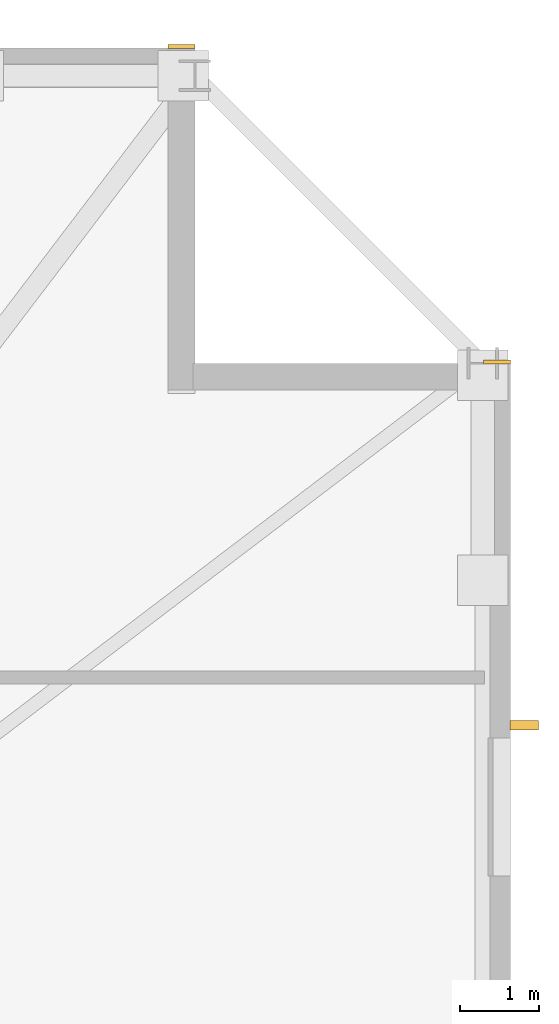
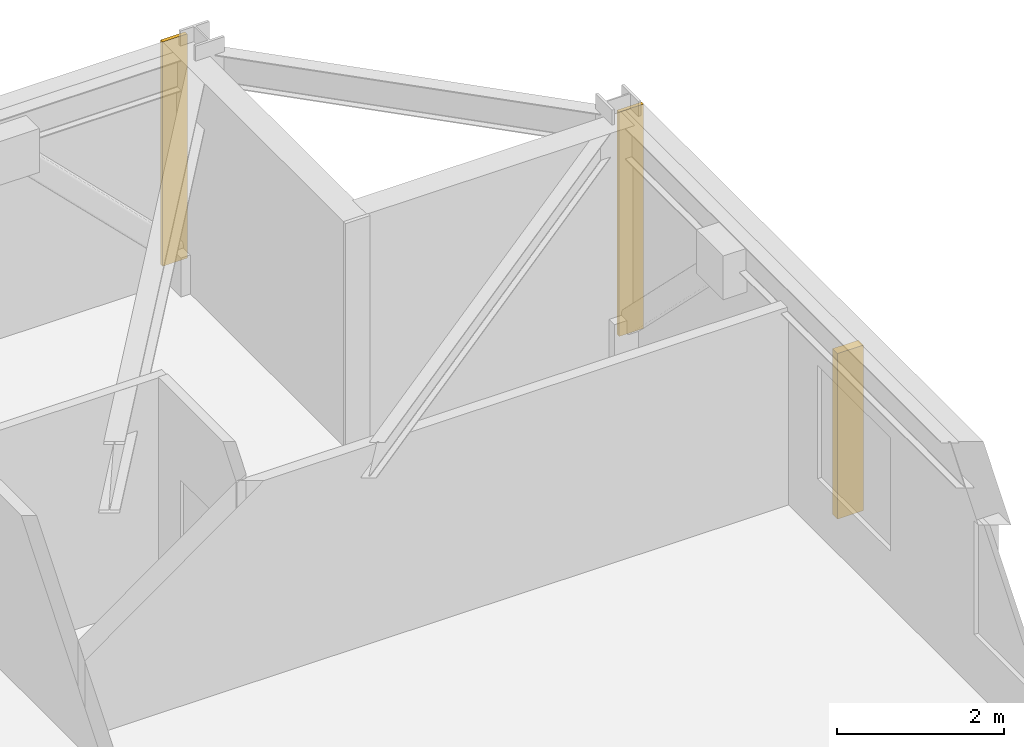
# One storey, part 11 of 11: 2 coverings, 1 shading device.
"""IFC4 building model written with IfcOpenShell, lengths in metres."""

from ifc_helpers import new_model, si_unit, direction, frame, frame_2d, origin, origin_2d, place, context, subcontext, project, spatial, rectangle, extrude, material, layer, layer_set, type_object, element, save


model = new_model("IFC4")

# Units and contexts
model_context = context("Model", 3, precision=1e-05, world=origin(), true_north=direction((0.0, 1.0)))
body_context = subcontext(model_context, "Body", "Model", "MODEL_VIEW")
ifc_project = project(units=[si_unit("LENGTHUNIT", "METRE"), si_unit("AREAUNIT", "SQUARE_METRE"), si_unit("VOLUMEUNIT", "CUBIC_METRE"), si_unit("PLANEANGLEUNIT", "RADIAN"), si_unit("MASSUNIT", "GRAM", prefix="KILO")], contexts=[model_context])

# Site, building, storey
site_placement = place(None, origin())
site = spatial("IfcSite", under=ifc_project, at=site_placement, CompositionType="ELEMENT")
building_placement = place(site_placement, origin())
building = spatial("IfcBuilding", under=site, at=building_placement, Name="Cairnveth Concourse Tower", CompositionType="ELEMENT")
storey_placement = place(building_placement, frame((0.0, 0.0, 130.5)))
storey = spatial("IfcBuildingStorey", under=building, at=storey_placement, Name="L35", CompositionType="ELEMENT", Elevation=130.5)

# Coverings
ifc_material_1 = material(Name="Dressed Melbourne Bluestone Cladding", Category="masonry")
ifc_layer = layer(ifc_material_1, 0.050048828125)
ifc_layer_set = layer_set([ifc_layer], Name="Dressed Melbourne Bluestone Cladding")
covering_type = type_object("IfcCoveringType", Name="DRESSED BLUESTONE PLINTH CLADDING 50", PredefinedType="CLADDING", material=ifc_layer_set)
for number, where, z_axis, x_axis, name in (
    (1, (71.659912109375, 63.02001953125, 0.0), (0.0, 0.0, 1.0), (1.0, 0.0, 0.0), "Melbourne Bluestone Corner Quoin L35-503"),
    (2, (75.659912109375, 59.02001953125, 0.0), (0.0, 0.0, 1.0), (1.0, 0.0, 0.0), "Melbourne Bluestone Corner Quoin L35-505"),
):
    element("IfcCovering", number, at=place(storey_placement, frame(where, z_axis=z_axis, x_axis=x_axis)), inside=storey, type_object=covering_type, Name=name, PredefinedType="CLADDING", context=body_context, shape_type="SweptSolid", body=[
        extrude(rectangle(XDim=0.340087890625, YDim=0.050048828125, at=frame_2d((0.169921875, 0.0))), origin(), (0.0, 0.0, 1.0), 3.280029296875),
    ])

# Shading device
ifc_material_2 = material(Name="Architectural Bronze Anodised Aluminium 6063-T6", Category="aluminium")
shading_device_type = type_object("IfcShadingDeviceType", Name="GOTHIC BRONZE VERTICAL LANCET FIN", PredefinedType="USERDEFINED", material=ifc_material_2)
shading_device_placement = place(storey_placement, frame((76.175048828125, 54.408203125, 0.030029296875), z_axis=(0.0, 0.0, 1.0), x_axis=(0.0, 1.0, 0.0)))
element("IfcShadingDevice", 3, at=shading_device_placement, inside=storey, type_object=shading_device_type, Name="Gothic Bronze Vertical Fin L35-6-1", ObjectType="VERTICAL FIN", PredefinedType="USERDEFINED", context=body_context, shape_type="SweptSolid", body=[
    extrude(rectangle(XDim=0.1201171875, YDim=0.360107421875, at=origin_2d()), origin(), (0.0, 0.0, 1.0), 2.419921875),
])

save(model, "model.ifc")
